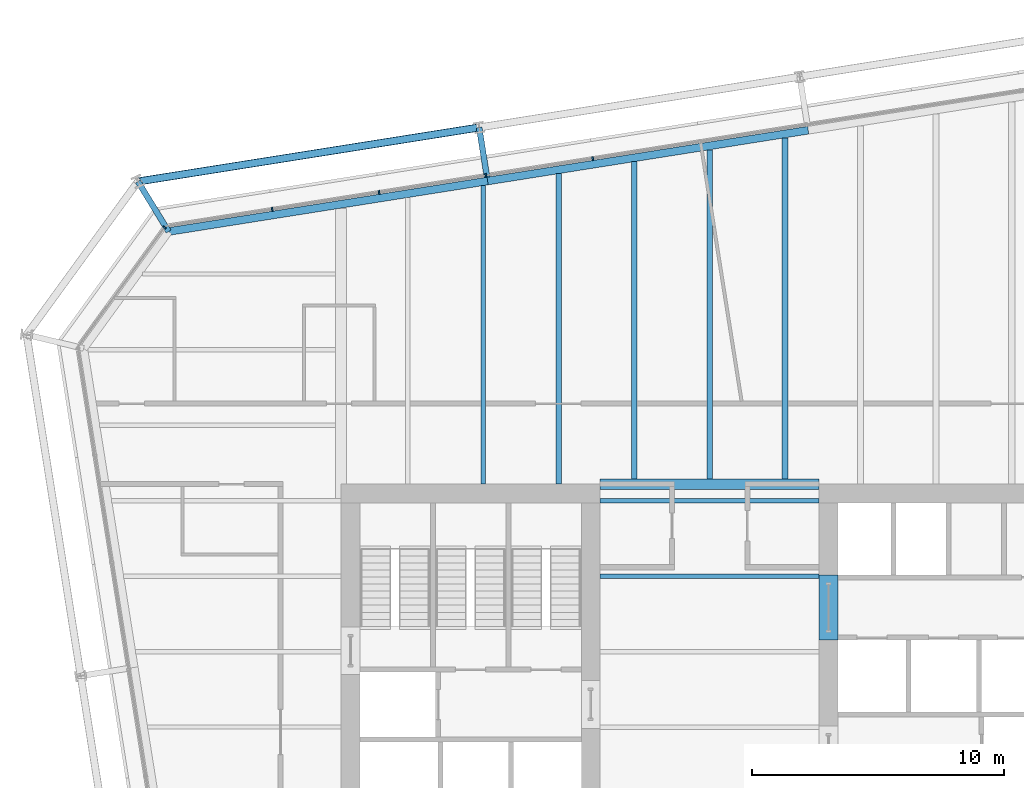
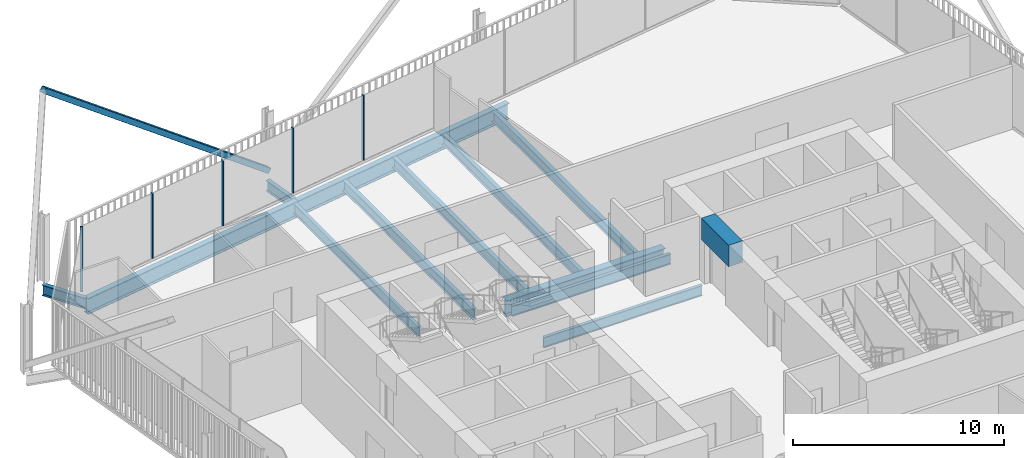
# One storey, part 11 of 22: 13 beams, 6 members, 2 elements without a shape of their own.
"""IFC4 building model written with IfcOpenShell, lengths in metres."""

from ifc_helpers import new_model, si_unit, direction, frame, origin, origin_2d, place, context, subcontext, project, spatial, rectangle, hollow_rectangle, i_section, extrude, material, layer, layer_set, material_profile, profile_set, type_object, element, aggregate, save


model = new_model("IFC4")

# Units and contexts
model_context = context("Model", 3, precision=1e-05, world=origin(), true_north=direction((0.0, 1.0)))
body_context = subcontext(model_context, "Body", "Model", "MODEL_VIEW")
ifc_project = project(units=[si_unit("LENGTHUNIT", "METRE"), si_unit("AREAUNIT", "SQUARE_METRE"), si_unit("VOLUMEUNIT", "CUBIC_METRE"), si_unit("PLANEANGLEUNIT", "RADIAN"), si_unit("MASSUNIT", "GRAM", prefix="KILO")], contexts=[model_context])

# Site, building, storey
site_placement = place(None, origin())
site = spatial("IfcSite", under=ifc_project, at=site_placement, CompositionType="ELEMENT")
building_placement = place(site_placement, origin())
building = spatial("IfcBuilding", under=site, at=building_placement, Name="Millrace Tower", CompositionType="ELEMENT")
storey_placement = place(building_placement, frame((0.0, 0.0, 168.5)))
storey = spatial("IfcBuildingStorey", under=building, at=storey_placement, Name="L38", CompositionType="ELEMENT", Elevation=168.5)

# Curtain wall, members
ifc_material_1 = material(Name="Aluminium and glass", Category="aluminium")
ifc_layer = layer(ifc_material_1, 0.14990234375)
ifc_layer_set = layer_set([ifc_layer], Name="Aluminium and glass")
curtain_wall_type = type_object("IfcCurtainWallType", Name="CW-1 office vision curtain wall", PredefinedType="NOTDEFINED", material=ifc_layer_set)
placement = place(storey_placement, origin())
curtain_wall_1 = element("IfcCurtainWall", 1, at=placement, inside=storey, type_object=curtain_wall_type, Name="Curtain wall C-F06 L38", PredefinedType="NOTDEFINED")
ifc_material_2 = material(Name="Aluminium", Category="aluminium")
ifc_material_profile_1 = material_profile(ifc_material_2, rectangle(XDim=0.06494140625, YDim=0.14990234375, at=origin_2d()))
ifc_profile_set_1 = profile_set([ifc_material_profile_1], Name="Aluminium")
member_type_1 = type_object("IfcMemberType", Name="CW-1 office vision curtain wall mullion", PredefinedType="MULLION", material=ifc_profile_set_1)
member_1_placement = place(storey_placement, frame((-4.6435546875, 22.59326171875, 0.139892578125), z_axis=(0.0, 0.0, 1.0), x_axis=(-0.98768833929, -0.15643447328, 0.0)))
member_1 = element("IfcMember", 2, at=member_1_placement, type_object=member_type_1, Name="CW1 mullion C-F06.6", PredefinedType="MULLION", context=body_context, shape_type="SweptSolid", body=[
    extrude(rectangle(XDim=0.06494140625, YDim=0.14990234375, at=origin_2d()), origin(), (0.0, 0.0, 1.0), 3.760009765625),
])
member_2_placement = place(storey_placement, frame((-8.890625, 21.920654296875, 0.139892578125), z_axis=(0.0, 0.0, 1.0), x_axis=(-0.98768833929, -0.15643447328, 0.0)))
member_2 = element("IfcMember", 3, at=member_2_placement, type_object=member_type_1, Name="CW1 mullion C-F06.7", PredefinedType="MULLION", context=body_context, shape_type="SweptSolid", body=[
    extrude(rectangle(XDim=0.06494140625, YDim=0.14990234375, at=origin_2d()), origin(), (0.0, 0.0, 1.0), 3.760009765625),
])
member_3_placement = place(storey_placement, frame((-13.1376953125, 21.248046875, 0.139892578125), z_axis=(0.0, 0.0, 1.0), x_axis=(-0.98768833929, -0.15643447328, 0.0)))
member_3 = element("IfcMember", 4, at=member_3_placement, type_object=member_type_1, Name="CW1 mullion C-F06.8", PredefinedType="MULLION", context=body_context, shape_type="SweptSolid", body=[
    extrude(rectangle(XDim=0.06494140625, YDim=0.14990234375, at=origin_2d()), origin(), (0.0, 0.0, 1.0), 3.760009765625),
])
member_4_placement = place(storey_placement, frame((-17.384765625, 20.575439453125, 0.139892578125), z_axis=(0.0, 0.0, 1.0), x_axis=(-0.98768833929, -0.15643447328, 0.0)))
member_4 = element("IfcMember", 5, at=member_4_placement, type_object=member_type_1, Name="CW1 mullion C-F06.9", PredefinedType="MULLION", context=body_context, shape_type="SweptSolid", body=[
    extrude(rectangle(XDim=0.06494140625, YDim=0.14990234375, at=origin_2d()), origin(), (0.0, 0.0, 1.0), 3.760009765625),
])
aggregate(curtain_wall_1, [member_1, member_2, member_3, member_4])

# Curtain wall, member
curtain_wall_2 = element("IfcCurtainWall", 6, at=placement, inside=storey, type_object=curtain_wall_type, Name="Curtain wall C-F07 L38", PredefinedType="NOTDEFINED")
member_5_placement = place(storey_placement, frame((-21.667724609375, 19.8515625, 0.139892578125), z_axis=(0.0, 0.0, 1.0), x_axis=(-0.587785269844, -0.809016981623, 0.0)))
member_5 = element("IfcMember", 7, at=member_5_placement, type_object=member_type_1, Name="CW1 mullion C-F07.1", PredefinedType="MULLION", context=body_context, shape_type="SweptSolid", body=[
    extrude(rectangle(XDim=0.06494140625, YDim=0.14990234375, at=origin_2d()), origin(), (0.0, 0.0, 1.0), 3.760009765625),
])
aggregate(curtain_wall_2, [member_5])

# Beam
ifc_material_3 = material(Name="Concrete C70", Category="concrete")
ifc_material_profile_2 = material_profile(ifc_material_3, rectangle(XDim=0.75, YDim=1.25, at=origin_2d()))
ifc_profile_set_2 = profile_set([ifc_material_profile_2], Name="Concrete C70")
beam_type_1 = type_object("IfcBeamType", Name="Coupling beam 750 x 1250 Concrete C70, 2000 opening", PredefinedType="BEAM", material=ifc_profile_set_2)
beam_1_placement = place(storey_placement, frame((4.72509765625, 6.050048828125, 3.02490234375), z_axis=(0.0, -1.0, 0.0), x_axis=(1.0, 0.0, 0.0)))
element("IfcBeam", 8, at=beam_1_placement, inside=storey, type_object=beam_type_1, Name="Coupling beam E L38", PredefinedType="BEAM", context=body_context, shape_type="SweptSolid", body=[
    extrude(rectangle(XDim=0.75, YDim=1.25, at=origin_2d()), origin(), (0.0, 0.0, 1.0), 2.60009765625),
])

# Member
ifc_material_4 = material(Name="Steel ASTM A500 Grade C", Category="steel")
ifc_material_profile_3 = material_profile(ifc_material_4, hollow_rectangle(XDim=0.3046875, YDim=0.3046875, WallThickness=0.0126953125, InnerFilletRadius=0.00634765625, OuterFilletRadius=0.01904296875, at=origin_2d()))
ifc_profile_set_3 = profile_set([ifc_material_profile_3], Name="Steel ASTM A500 Grade C")
member_type_2 = type_object("IfcMemberType", Name="Exoskeleton brace HSS12x12x1/2", PredefinedType="BRACE", material=ifc_profile_set_3)
member_6_placement = place(storey_placement, frame((-9.15966796875, 23.8271484375, 0.39990234375), z_axis=(-0.779011602037, -0.123390141398, 0.614748563965), x_axis=(0.156442906258, -0.987687003601, 0.0)))
element("IfcMember", 9, at=member_6_placement, inside=storey, type_object=member_type_2, Name="BRC-C-L38-12", PredefinedType="BRACE", context=body_context, shape_type="SweptSolid", body=[
    extrude(hollow_rectangle(XDim=0.3046875, YDim=0.3046875, WallThickness=0.0126953125, InnerFilletRadius=0.00634765625, OuterFilletRadius=0.01904296875, at=origin_2d()), origin(), (0.0, 0.0, 1.0), 17.40576171875),
])

# Beams
ifc_material_5 = material(Name="Steel ASTM A992 Grade 50", Category="steel")
ifc_material_profile_4 = material_profile(ifc_material_5, i_section(OverallWidth=0.177978515625, OverallDepth=0.599365234375, WebThickness=0.010009765625, FlangeThickness=0.012939453125, FilletRadius=0.012939453125, at=origin_2d()))
ifc_profile_set_4 = profile_set([ifc_material_profile_4], Name="Steel ASTM A992 Grade 50")
beam_type_2 = type_object("IfcBeamType", Name="Floor beam W24x55", PredefinedType="JOIST", material=ifc_profile_set_4)
for number, where, z_axis, x_axis, name in (
    (10, (-4.35009765625, 6.0, -0.459716796875), (1.0, 0.0, 0.0), (0.0, 1.0, 0.0), "BM-C-L38-S1-S025"),
    (11, (-4.35009765625, 9.0, -0.459716796875), (1.0, 0.0, 0.0), (0.0, 1.0, 0.0), "BM-C-L38-S1-S028"),
):
    element("IfcBeam", number, at=place(storey_placement, frame(where, z_axis=z_axis, x_axis=x_axis)), inside=storey, type_object=beam_type_2, Name=name, PredefinedType="JOIST", context=body_context, shape_type="SweptSolid", body=[
        extrude(i_section(OverallWidth=0.177978515625, OverallDepth=0.599365234375, WebThickness=0.010009765625, FlangeThickness=0.012939453125, FilletRadius=0.012939453125, at=origin_2d()), origin(), (0.0, 0.0, 1.0), 8.7001953125),
    ])
ifc_material_6 = material(Name="Steel ASTM A992 Grade 50", Category="steel")
ifc_material_profile_5 = material_profile(ifc_material_6, i_section(OverallWidth=0.1787109375, OverallDepth=0.60205078125, WebThickness=0.010986328125, FlangeThickness=0.014892578125, FilletRadius=0.0126953125, at=origin_2d()))
ifc_profile_set_5 = profile_set([ifc_material_profile_5], Name="Steel ASTM A992 Grade 50")
beam_type_3 = type_object("IfcBeamType", Name="Floor beam W24x62", PredefinedType="JOIST", material=ifc_profile_set_5)
beam_2_placement = place(storey_placement, frame((-9.0, 9.64990234375, -0.4609375), z_axis=(0.0, 1.0, 0.0), x_axis=(-1.0, 0.0, 0.0)))
element("IfcBeam", 12, at=beam_2_placement, inside=storey, type_object=beam_type_3, Name="BM-C-L38-S1-S041", PredefinedType="JOIST", context=body_context, shape_type="SweptSolid", body=[
    extrude(i_section(OverallWidth=0.1787109375, OverallDepth=0.60205078125, WebThickness=0.010986328125, FlangeThickness=0.014892578125, FilletRadius=0.0126953125, at=origin_2d()), origin(), (0.0, 0.0, 1.0), 11.866455078125),
])
ifc_material_7 = material(Name="Steel ASTM A992 Grade 50", Category="steel")
ifc_material_profile_6 = material_profile(ifc_material_7, i_section(OverallWidth=0.228271484375, OverallDepth=0.607177734375, WebThickness=0.01123046875, FlangeThickness=0.017333984375, FilletRadius=0.0126953125, at=origin_2d()))
ifc_profile_set_6 = profile_set([ifc_material_profile_6], Name="Steel ASTM A992 Grade 50")
beam_type_4 = type_object("IfcBeamType", Name="Floor beam W24x76", PredefinedType="JOIST", material=ifc_profile_set_6)
beam_3_placement = place(storey_placement, frame((-6.0, 9.64990234375, -0.463623046875), z_axis=(0.0, 1.0, 0.0), x_axis=(-1.0, 0.0, 0.0)))
element("IfcBeam", 13, at=beam_3_placement, inside=storey, type_object=beam_type_4, Name="BM-C-L38-S1-S043", PredefinedType="JOIST", context=body_context, shape_type="SweptSolid", body=[
    extrude(i_section(OverallWidth=0.228271484375, OverallDepth=0.607177734375, WebThickness=0.01123046875, FlangeThickness=0.017333984375, FilletRadius=0.0126953125, at=origin_2d()), origin(), (0.0, 0.0, 1.0), 12.341552734375),
])
beam_4_placement = place(storey_placement, frame((-3.0, 9.859619140625, -0.463623046875), z_axis=(0.0, 1.0, 0.0), x_axis=(-1.0, 0.0, 0.0)))
element("IfcBeam", 14, at=beam_4_placement, inside=storey, type_object=beam_type_4, Name="BM-C-L38-S1-S045", PredefinedType="JOIST", context=body_context, shape_type="SweptSolid", body=[
    extrude(i_section(OverallWidth=0.228271484375, OverallDepth=0.607177734375, WebThickness=0.01123046875, FlangeThickness=0.017333984375, FilletRadius=0.0126953125, at=origin_2d()), origin(), (0.0, 0.0, 1.0), 12.60693359375),
])
beam_5_placement = place(storey_placement, frame((0.0, 9.859619140625, -0.463623046875), z_axis=(0.0, 1.0, 0.0), x_axis=(-1.0, 0.0, 0.0)))
element("IfcBeam", 15, at=beam_5_placement, inside=storey, type_object=beam_type_4, Name="BM-C-L38-S1-S047", PredefinedType="JOIST", context=body_context, shape_type="SweptSolid", body=[
    extrude(i_section(OverallWidth=0.228271484375, OverallDepth=0.607177734375, WebThickness=0.01123046875, FlangeThickness=0.017333984375, FilletRadius=0.0126953125, at=origin_2d()), origin(), (0.0, 0.0, 1.0), 13.08203125),
])
beam_6_placement = place(storey_placement, frame((3.0, 9.859619140625, -0.463623046875), z_axis=(0.0, 1.0, 0.0), x_axis=(-1.0, 0.0, 0.0)))
element("IfcBeam", 16, at=beam_6_placement, inside=storey, type_object=beam_type_4, Name="BM-C-L38-S1-S049", PredefinedType="JOIST", context=body_context, shape_type="SweptSolid", body=[
    extrude(i_section(OverallWidth=0.228271484375, OverallDepth=0.607177734375, WebThickness=0.01123046875, FlangeThickness=0.017333984375, FilletRadius=0.0126953125, at=origin_2d()), origin(), (0.0, 0.0, 1.0), 13.55712890625),
])
ifc_material_8 = material(Name="Steel ASTM A992 Grade 50", Category="steel")
ifc_material_profile_7 = material_profile(ifc_material_8, i_section(OverallWidth=0.419189453125, OverallDepth=0.927001953125, WebThickness=0.019287109375, FlangeThickness=0.031982421875, FilletRadius=0.024169921875, at=origin_2d()))
ifc_profile_set_7 = profile_set([ifc_material_profile_7], Name="Steel ASTM A992 Grade 50")
beam_type_5 = type_object("IfcBeamType", Name="Girder short span W36x231", PredefinedType="BEAM", material=ifc_profile_set_7)
beam_7_placement = place(storey_placement, frame((-4.35009765625, 9.64990234375, -0.62353515625), z_axis=(1.0, 0.0, 0.0), x_axis=(0.0, 1.0, 0.0)))
element("IfcBeam", 17, at=beam_7_placement, inside=storey, type_object=beam_type_5, Name="BM-C-L38-S1-G061", PredefinedType="BEAM", context=body_context, shape_type="SweptSolid", body=[
    extrude(i_section(OverallWidth=0.419189453125, OverallDepth=0.927001953125, WebThickness=0.019287109375, FlangeThickness=0.031982421875, FilletRadius=0.024169921875, at=origin_2d()), origin(), (0.0, 0.0, 1.0), 8.7001953125),
])
ifc_material_9 = material(Name="Steel ASTM A992 Grade 50", Category="steel")
ifc_material_profile_8 = material_profile(ifc_material_9, i_section(OverallWidth=0.23046875, OverallDepth=0.6171875, WebThickness=0.01318359375, FlangeThickness=0.022216796875, FilletRadius=0.012939453125, at=origin_2d()))
ifc_profile_set_8 = profile_set([ifc_material_profile_8], Name="Steel ASTM A992 Grade 50")
beam_type_6 = type_object("IfcBeamType", Name="Link beam W24x94", PredefinedType="BEAM", material=ifc_profile_set_8)
beam_8_placement = place(storey_placement, frame((-21.5009765625, 19.69189453125, -0.468505859375), z_axis=(-0.522512938711, 0.852631355792, 0.0), x_axis=(-0.852631355792, -0.522512938711, 0.0)))
element("IfcBeam", 18, at=beam_8_placement, inside=storey, type_object=beam_type_6, Name="LNK-C-L38-S1-05", PredefinedType="BEAM", context=body_context, shape_type="SweptSolid", body=[
    extrude(i_section(OverallWidth=0.23046875, OverallDepth=0.6171875, WebThickness=0.01318359375, FlangeThickness=0.022216796875, FilletRadius=0.012939453125, at=origin_2d()), origin(), (0.0, 0.0, 1.0), 2.3310546875),
])
beam_9_placement = place(storey_placement, frame((-8.8466796875, 21.8515625, -0.468505859375), z_axis=(-0.156476509441, 0.987681680499, 0.0), x_axis=(-0.987681680499, -0.156476509441, 0.0)))
element("IfcBeam", 19, at=beam_9_placement, inside=storey, type_object=beam_type_6, Name="LNK-C-L38-S1-06", PredefinedType="BEAM", context=body_context, shape_type="SweptSolid", body=[
    extrude(i_section(OverallWidth=0.23046875, OverallDepth=0.6171875, WebThickness=0.01318359375, FlangeThickness=0.022216796875, FilletRadius=0.012939453125, at=origin_2d()), origin(), (0.0, 0.0, 1.0), 2.000244140625),
])
ifc_material_10 = material(Name="Steel ASTM A992 Grade 50", Category="steel")
ifc_material_profile_9 = material_profile(ifc_material_10, i_section(OverallWidth=0.307373046875, OverallDepth=0.927001953125, WebThickness=0.01953125, FlangeThickness=0.031982421875, FilletRadius=0.01904296875, at=origin_2d()))
ifc_profile_set_9 = profile_set([ifc_material_profile_9], Name="Steel ASTM A992 Grade 50")
beam_type_7 = type_object("IfcBeamType", Name="Ring beam medium span W36x194", PredefinedType="SPANDREL", material=ifc_profile_set_9)
beam_10_placement = place(storey_placement, frame((-21.5009765625, 19.69189453125, -0.62353515625), z_axis=(0.987688058438, 0.156436246498, 0.0), x_axis=(-0.156436246498, 0.987688058438, 0.0)))
element("IfcBeam", 20, at=beam_10_placement, inside=storey, type_object=beam_type_7, Name="RNG-C-L38-S1-05", PredefinedType="SPANDREL", context=body_context, shape_type="SweptSolid", body=[
    extrude(i_section(OverallWidth=0.307373046875, OverallDepth=0.927001953125, WebThickness=0.01953125, FlangeThickness=0.031982421875, FilletRadius=0.01904296875, at=origin_2d()), origin(), (0.0, 0.0, 1.0), 12.836181640625),
])
beam_11_placement = place(storey_placement, frame((-8.82275390625, 21.699951171875, -0.62353515625), z_axis=(0.987687659758, 0.156438763615, 0.0), x_axis=(-0.156438763615, 0.987687659758, 0.0)))
element("IfcBeam", 21, at=beam_11_placement, inside=storey, type_object=beam_type_7, Name="RNG-C-L38-S1-06", PredefinedType="SPANDREL", context=body_context, shape_type="SweptSolid", body=[
    extrude(i_section(OverallWidth=0.307373046875, OverallDepth=0.927001953125, WebThickness=0.01953125, FlangeThickness=0.031982421875, FilletRadius=0.01904296875, at=origin_2d()), origin(), (0.0, 0.0, 1.0), 12.900146484375),
])

save(model, "model.ifc")
